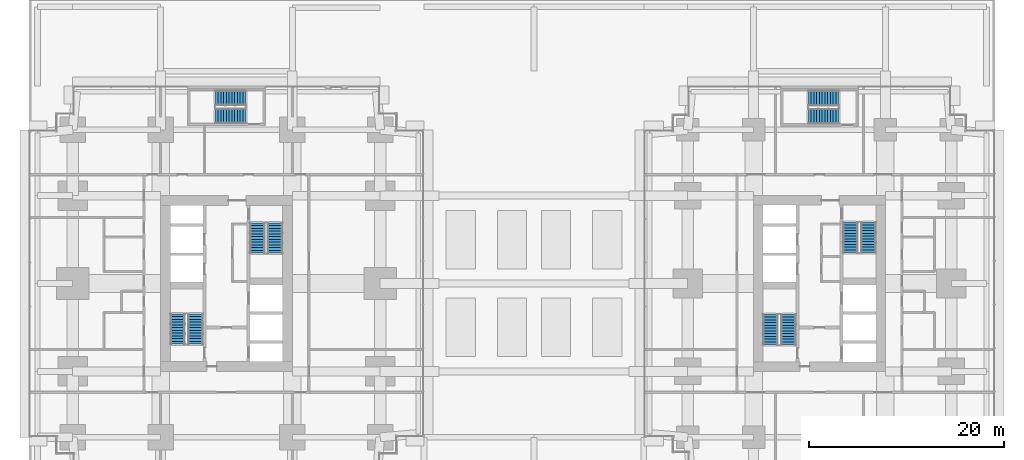
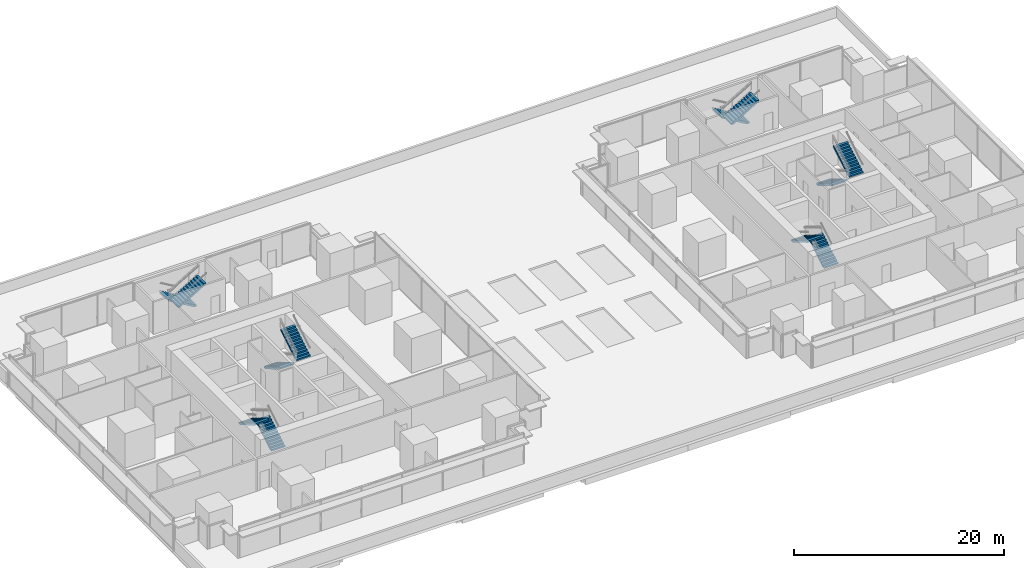
# One storey, part 31 of 34: 12 stair flights, 6 elements without a shape of their own.
"""IFC4 building model written with IfcOpenShell, lengths in metres."""

import ifcopenshell
import ifcopenshell.guid

model = None  # the IFC model being written
_history = None  # IfcOwnerHistory: only IFC2X3 demands one
_inside = {}  # id of a spatial element -> (the spatial element, [elements in it])
_under = {}  # id of a project, library or spatial element -> (it, [spatial elements below it])
_declared = {}  # id of a project -> (the project, [libraries it declares])
_typed = {}  # id of a type object -> (the type object, [elements of that type])
_made_of = {}  # id of a material, layer set ... -> (it, [elements and type objects made of it])


def new_model(schema):
    """Start an empty IFC model of exactly this schema.

    Asked for "IFC4X3", IfcOpenShell would pick the latest addendum, in which some entities
    have other attributes; the version numbers below select the first issue.
    IFC2X3 requires an IfcOwnerHistory on every rooted entity: one is made here for all.
    """
    global model, _history
    if schema == "IFC4X3":
        model = ifcopenshell.file(schema_version=(4, 3, 0, 0))
    else:
        model = ifcopenshell.file(schema=schema)
    _inside.clear()
    _under.clear()
    _declared.clear()
    _typed.clear()
    _made_of.clear()
    _history = None
    if model.schema == "IFC2X3":
        org = make("IfcOrganization", Name="unknown")
        user = make(
            "IfcPersonAndOrganization",
            ThePerson=make("IfcPerson", FamilyName="unknown"),
            TheOrganization=org,
        )
        app = make(
            "IfcApplication",
            ApplicationDeveloper=org,
            Version="unknown",
            ApplicationFullName="unknown",
            ApplicationIdentifier="unknown",
        )
        _history = make(
            "IfcOwnerHistory",
            OwningUser=user,
            OwningApplication=app,
            ChangeAction="ADDED",
            CreationDate=0,
        )
    return model


def make(cls, **values):
    """One entity of the class cls with the attributes given. An attribute that is None is left unset."""
    return model.create_entity(
        cls, **{name: value for name, value in values.items() if value is not None}
    )


def rooted(cls, **values):
    """An entity with a GlobalId (a new one), such as an element, a storey or a relation."""
    return make(cls, GlobalId=ifcopenshell.guid.new(), OwnerHistory=_history, **values)


def si_unit(unit_type, name, prefix=None):
    """IfcSIUnit, for example si_unit("LENGTHUNIT", "METRE", prefix="MILLI")."""
    return make("IfcSIUnit", UnitType=unit_type, Prefix=prefix, Name=name)


def assignment(units):
    """IfcUnitAssignment: the units of a project."""
    return None if units is None else make("IfcUnitAssignment", Units=units)


def point(xyz):
    """IfcCartesianPoint."""
    return None if xyz is None else make("IfcCartesianPoint", Coordinates=xyz)


def direction(xyz):
    """IfcDirection."""
    return None if xyz is None else make("IfcDirection", DirectionRatios=xyz)


def frame(location, z_axis=None, x_axis=None):
    """IfcAxis2Placement3D, a coordinate frame: its origin and axes. An axis left out is left unset."""
    return make(
        "IfcAxis2Placement3D",
        Location=point(location),
        Axis=direction(z_axis),
        RefDirection=direction(x_axis),
    )


def origin():
    """The frame at (0, 0, 0) with its axes left unset."""
    return frame((0.0, 0.0, 0.0))


def place(relative_to, where):
    """IfcLocalPlacement: puts the frame where relative to a parent placement (None: the world)."""
    return make(
        "IfcLocalPlacement", PlacementRelTo=relative_to, RelativePlacement=where
    )


def context(
    kind, dimensions, precision=None, world=None, true_north=None, identifier=None
):
    """IfcGeometricRepresentationContext, for example the 3D "Model" context."""
    return make(
        "IfcGeometricRepresentationContext",
        ContextIdentifier=identifier,
        ContextType=kind,
        CoordinateSpaceDimension=dimensions,
        Precision=precision,
        WorldCoordinateSystem=world,
        TrueNorth=true_north,
    )


def subcontext(parent, identifier, kind, view, scale=None):
    """IfcGeometricRepresentationSubContext, for example "Body" below "Model"."""
    return make(
        "IfcGeometricRepresentationSubContext",
        ContextIdentifier=identifier,
        ContextType=kind,
        ParentContext=parent,
        TargetScale=scale,
        TargetView=view,
    )


def project(units=None, contexts=None):
    """IfcProject with its units and contexts."""
    return rooted(
        "IfcProject",
        Name="project",
        RepresentationContexts=contexts,
        UnitsInContext=assignment(units),
    )


def spatial(cls, under=None, at=None, **own):
    """A site, building, storey or space (cls), placed at a placement, below another one or the project."""
    s = rooted(cls, ObjectPlacement=at, **own)
    if under is not None:
        _under.setdefault(under.id(), (under, []))[1].append(s)
    return s


def polyline(points):
    """IfcPolyline through the points."""
    return make("IfcPolyline", Points=[point(p) for p in points])


def outline(outer, holes=None, kind="AREA"):
    """IfcArbitraryClosedProfileDef: a profile drawn as a closed curve; with holes, ...WithVoids."""
    if holes is None:
        return make("IfcArbitraryClosedProfileDef", ProfileType=kind, OuterCurve=outer)
    return make(
        "IfcArbitraryProfileDefWithVoids",
        ProfileType=kind,
        OuterCurve=outer,
        InnerCurves=holes,
    )


def extrude(swept, where, along, depth):
    """IfcExtrudedAreaSolid: the profile swept, set in the frame where, extruded along a direction by depth."""
    return make(
        "IfcExtrudedAreaSolid",
        SweptArea=swept,
        Position=where,
        ExtrudedDirection=direction(along),
        Depth=depth,
    )


def shape(context_of_items, identifier, shape_type, items):
    """IfcShapeRepresentation: the items that make up one representation, for example the "Body"."""
    return make(
        "IfcShapeRepresentation",
        ContextOfItems=context_of_items,
        RepresentationIdentifier=identifier,
        RepresentationType=shape_type,
        Items=items,
    )


def material(Name=None, Category=None):
    """IfcMaterial."""
    return make("IfcMaterial", Name=Name, Category=Category)


def made_of(thing, what):
    """Note that an element or type object is made of a material, layer set ...; save() writes the relation."""
    if what is not None:
        _made_of.setdefault(what.id(), (what, []))[1].append(thing)
    return thing


def type_object(cls, material=None, **own):
    """A type object (cls), such as IfcWallType, which elements share."""
    return made_of(rooted(cls, **own), material)


def element(
    cls,
    number,
    at=None,
    inside=None,
    cuts=None,
    type_object=None,
    material=None,
    context=None,
    identifier="Body",
    shape_type=None,
    held_by="IfcProductDefinitionShape",
    body=None,
    shapes=None,
    **own,
):
    """One element of the class cls, such as IfcWall. Its Tag is "e" and its number.

    at: its placement. inside: the storey or other place that contains it. cuts: it is an
    opening in that element (IfcRelVoidsElement). A single representation is given by context,
    identifier, shape_type and body (its items); several are given by shapes. held_by: the class
    of the entity that holds the representations. save() writes the other relations.
    """
    e = rooted(cls, Tag="e%d" % number, ObjectPlacement=at, **own)
    if body is not None:
        shapes = [shape(context, identifier, shape_type, body)]
    if shapes is not None:
        e.Representation = make(held_by, Representations=shapes)
    if inside is not None:
        _inside.setdefault(inside.id(), (inside, []))[1].append(e)
    if cuts is not None:
        rooted(
            "IfcRelVoidsElement", RelatingBuildingElement=cuts, RelatedOpeningElement=e
        )
    if type_object is not None:
        _typed.setdefault(type_object.id(), (type_object, []))[1].append(e)
    return made_of(e, material)


def aggregate(whole, parts):
    """IfcRelAggregates: a whole, such as a stair, and the parts it consists of."""
    return rooted("IfcRelAggregates", RelatingObject=whole, RelatedObjects=parts)


def save(model, path):
    """Write the relations noted so far, then the file.

    IfcRelAggregates (storeys below a building ...), IfcRelContainedInSpatialStructure (elements
    in a storey), IfcRelDefinesByType, IfcRelAssociatesMaterial and IfcRelDeclares: one each for
    every whole, place, type object, material and project.
    """
    for whole, parts in _under.values():
        aggregate(whole, parts)
    for where, things in _inside.values():
        rooted(
            "IfcRelContainedInSpatialStructure",
            RelatedElements=things,
            RelatingStructure=where,
        )
    for kind, things in _typed.values():
        rooted("IfcRelDefinesByType", RelatedObjects=things, RelatingType=kind)
    for what, things in _made_of.values():
        rooted("IfcRelAssociatesMaterial", RelatedObjects=things, RelatingMaterial=what)
    for by, libraries in _declared.values():
        rooted("IfcRelDeclares", RelatingContext=by, RelatedDefinitions=libraries)
    model.write(path)


model = new_model("IFC4")

# Units and contexts
model_context = context("Model", 3, precision=1e-05, world=origin(), true_north=direction((0.0, 1.0)))
body_context = subcontext(model_context, "Body", "Model", "MODEL_VIEW")
ifc_project = project(units=[si_unit("LENGTHUNIT", "METRE"), si_unit("AREAUNIT", "SQUARE_METRE"), si_unit("VOLUMEUNIT", "CUBIC_METRE"), si_unit("PLANEANGLEUNIT", "RADIAN"), si_unit("MASSUNIT", "GRAM", prefix="KILO")], contexts=[model_context])

# Site, building, storey
site_placement = place(None, origin())
site = spatial("IfcSite", under=ifc_project, at=site_placement, CompositionType="ELEMENT")
building_placement = place(site_placement, origin())
building = spatial("IfcBuilding", under=site, at=building_placement, Name="Namib Vertical Campus", CompositionType="ELEMENT")
storey_placement = place(building_placement, frame((0.0, 0.0, 21.0)))
storey = spatial("IfcBuildingStorey", under=building, at=storey_placement, Name="L04", CompositionType="ELEMENT", Elevation=21.0)

# Stair, stair flights
ifc_material_1 = material(Name="Concrete C40/50 precast", Category="concrete")
stair_type_1 = type_object("IfcStairType", Name="Exit stair 4000 rise 24 risers 3350 wide", PredefinedType="HALF_TURN_STAIR", material=ifc_material_1)
stair_1_placement = place(storey_placement, origin())
stair_1 = element("IfcStair", 1, at=stair_1_placement, inside=storey, type_object=stair_type_1, Name="Exit stair A-S1 L04", PredefinedType="HALF_TURN_STAIR")
ifc_material_2 = material(Name="Concrete C40/50 precast", Category="concrete")
stair_flight_type_1 = type_object("IfcStairFlightType", Name="Stair flight 12 risers 167 1525 wide", PredefinedType="STRAIGHT", material=ifc_material_2)
stair_flight_1_placement = place(storey_placement, frame((17.08740234375, 14.050048828125, 0.0), z_axis=(0.0, 0.0, 1.0), x_axis=(0.0, 1.0, 0.0)))
stair_flight_1 = element("IfcStairFlight", 2, at=stair_flight_1_placement, type_object=stair_flight_type_1, Name="A-S1 flight 1", NumberOfRisers=12, NumberOfTreads=11, PredefinedType="STRAIGHT", RiserHeight=0.166666667, TreadLength=0.28, context=body_context, shape_type="SweptSolid", body=[
    extrude(outline(polyline([(0.0, 0.0), (0.0, 0.166748046875), (0.280029296875, 0.166748046875), (0.280029296875, 0.333251953125), (0.56005859375, 0.333251953125), (0.56005859375, 0.5), (0.840087890625, 0.5), (0.840087890625, 0.666748046875), (1.1201171875, 0.666748046875), (1.1201171875, 0.833251953125), (1.39990234375, 0.833251953125), (1.39990234375, 1.0), (1.679931640625, 1.0), (1.679931640625, 1.166748046875), (1.9599609375, 1.166748046875), (1.9599609375, 1.333251953125), (2.239990234375, 1.333251953125), (2.239990234375, 1.5), (2.52001953125, 1.5), (2.52001953125, 1.666748046875), (2.800048828125, 1.666748046875), (2.800048828125, 1.833251953125), (3.080078125, 1.833251953125), (3.080078125, 2.0), (3.080078125, 1.658935546875), (0.29296875, 0.0), (0.0, 0.0)])), frame((0.0, 0.762451171875, 0.0), z_axis=(0.0, -1.0, 0.0), x_axis=(1.0, 0.0, 0.0)), (0.0, 0.0, 1.0), 1.52490234375),
])
stair_flight_2_placement = place(storey_placement, frame((15.262451171875, 17.1298828125, 2.0), z_axis=(0.0, 0.0, 1.0), x_axis=(0.0, -1.0, 0.0)))
stair_flight_2 = element("IfcStairFlight", 3, at=stair_flight_2_placement, type_object=stair_flight_type_1, Name="A-S1 flight 2", NumberOfRisers=12, NumberOfTreads=11, PredefinedType="STRAIGHT", RiserHeight=0.166666667, TreadLength=0.28, context=body_context, shape_type="SweptSolid", body=[
    extrude(outline(polyline([(0.0, 0.0), (0.0, 0.166748046875), (0.280029296875, 0.166748046875), (0.280029296875, 0.333251953125), (0.56005859375, 0.333251953125), (0.56005859375, 0.5), (0.840087890625, 0.5), (0.840087890625, 0.666748046875), (1.1201171875, 0.666748046875), (1.1201171875, 0.833251953125), (1.39990234375, 0.833251953125), (1.39990234375, 1.0), (1.679931640625, 1.0), (1.679931640625, 1.166748046875), (1.9599609375, 1.166748046875), (1.9599609375, 1.333251953125), (2.239990234375, 1.333251953125), (2.239990234375, 1.5), (2.52001953125, 1.5), (2.52001953125, 1.666748046875), (2.800048828125, 1.666748046875), (2.800048828125, 1.833251953125), (3.080078125, 1.833251953125), (3.080078125, 2.0), (3.080078125, 1.658935546875), (0.29296875, 0.0), (0.0, 0.0)])), frame((0.0, 0.762451171875, 0.0), z_axis=(0.0, -1.0, 0.0), x_axis=(1.0, 0.0, 0.0)), (0.0, 0.0, 1.0), 1.52490234375),
])
aggregate(stair_1, [stair_flight_1, stair_flight_2])

stair_2_placement = place(storey_placement, origin())
stair_2 = element("IfcStair", 4, at=stair_2_placement, inside=storey, type_object=stair_type_1, Name="Exit stair A-S2 L04", PredefinedType="HALF_TURN_STAIR")
stair_flight_3_placement = place(storey_placement, frame((23.41259765625, 26.449951171875, 0.0), z_axis=(0.0, 0.0, 1.0), x_axis=(0.0, -1.0, 0.0)))
stair_flight_3 = element("IfcStairFlight", 5, at=stair_flight_3_placement, type_object=stair_flight_type_1, Name="A-S2 flight 1", NumberOfRisers=12, NumberOfTreads=11, PredefinedType="STRAIGHT", RiserHeight=0.166666667, TreadLength=0.28, context=body_context, shape_type="SweptSolid", body=[
    extrude(outline(polyline([(0.0, 0.0), (0.0, 0.166748046875), (0.280029296875, 0.166748046875), (0.280029296875, 0.333251953125), (0.56005859375, 0.333251953125), (0.56005859375, 0.5), (0.840087890625, 0.5), (0.840087890625, 0.666748046875), (1.1201171875, 0.666748046875), (1.1201171875, 0.833251953125), (1.39990234375, 0.833251953125), (1.39990234375, 1.0), (1.679931640625, 1.0), (1.679931640625, 1.166748046875), (1.9599609375, 1.166748046875), (1.9599609375, 1.333251953125), (2.239990234375, 1.333251953125), (2.239990234375, 1.5), (2.52001953125, 1.5), (2.52001953125, 1.666748046875), (2.800048828125, 1.666748046875), (2.800048828125, 1.833251953125), (3.080078125, 1.833251953125), (3.080078125, 2.0), (3.080078125, 1.658935546875), (0.29296875, 0.0), (0.0, 0.0)])), frame((0.0, 0.762451171875, 0.0), z_axis=(0.0, -1.0, 0.0), x_axis=(1.0, 0.0, 0.0)), (0.0, 0.0, 1.0), 1.52490234375),
])
stair_flight_4_placement = place(storey_placement, frame((25.237548828125, 23.3701171875, 2.0), z_axis=(0.0, 0.0, 1.0), x_axis=(0.0, 1.0, 0.0)))
stair_flight_4 = element("IfcStairFlight", 6, at=stair_flight_4_placement, type_object=stair_flight_type_1, Name="A-S2 flight 2", NumberOfRisers=12, NumberOfTreads=11, PredefinedType="STRAIGHT", RiserHeight=0.166666667, TreadLength=0.28, context=body_context, shape_type="SweptSolid", body=[
    extrude(outline(polyline([(0.0, 0.0), (0.0, 0.166748046875), (0.280029296875, 0.166748046875), (0.280029296875, 0.333251953125), (0.56005859375, 0.333251953125), (0.56005859375, 0.5), (0.840087890625, 0.5), (0.840087890625, 0.666748046875), (1.1201171875, 0.666748046875), (1.1201171875, 0.833251953125), (1.39990234375, 0.833251953125), (1.39990234375, 1.0), (1.679931640625, 1.0), (1.679931640625, 1.166748046875), (1.9599609375, 1.166748046875), (1.9599609375, 1.333251953125), (2.239990234375, 1.333251953125), (2.239990234375, 1.5), (2.52001953125, 1.5), (2.52001953125, 1.666748046875), (2.800048828125, 1.666748046875), (2.800048828125, 1.833251953125), (3.080078125, 1.833251953125), (3.080078125, 2.0), (3.080078125, 1.658935546875), (0.29296875, 0.0), (0.0, 0.0)])), frame((0.0, 0.762451171875, 0.0), z_axis=(0.0, -1.0, 0.0), x_axis=(1.0, 0.0, 0.0)), (0.0, 0.0, 1.0), 1.52490234375),
])
aggregate(stair_2, [stair_flight_3, stair_flight_4])

stair_3_placement = place(storey_placement, origin())
stair_3 = element("IfcStair", 7, at=stair_3_placement, inside=storey, type_object=stair_type_1, Name="Exit stair A-S3 L04", PredefinedType="HALF_TURN_STAIR")
stair_flight_5_placement = place(storey_placement, frame((22.199951171875, 39.237548828125, 0.0), z_axis=(0.0, 0.0, 1.0), x_axis=(-1.0, 0.0, 0.0)))
stair_flight_5 = element("IfcStairFlight", 8, at=stair_flight_5_placement, type_object=stair_flight_type_1, Name="A-S3 flight 1", NumberOfRisers=12, NumberOfTreads=11, PredefinedType="STRAIGHT", RiserHeight=0.166666667, TreadLength=0.28, context=body_context, shape_type="SweptSolid", body=[
    extrude(outline(polyline([(0.0, 0.0), (0.0, 0.166748046875), (0.280029296875, 0.166748046875), (0.280029296875, 0.333251953125), (0.56005859375, 0.333251953125), (0.56005859375, 0.5), (0.840087890625, 0.5), (0.840087890625, 0.666748046875), (1.1201171875, 0.666748046875), (1.1201171875, 0.833251953125), (1.39990234375, 0.833251953125), (1.39990234375, 1.0), (1.679931640625, 1.0), (1.679931640625, 1.166748046875), (1.9599609375, 1.166748046875), (1.9599609375, 1.333251953125), (2.239990234375, 1.333251953125), (2.239990234375, 1.5), (2.52001953125, 1.5), (2.52001953125, 1.666748046875), (2.800048828125, 1.666748046875), (2.800048828125, 1.833251953125), (3.080078125, 1.833251953125), (3.080078125, 2.0), (3.080078125, 1.658935546875), (0.29296875, 0.0), (0.0, 0.0)])), frame((0.0, 0.762451171875, 0.0), z_axis=(0.0, -1.0, 0.0), x_axis=(1.0, 0.0, 0.0)), (0.0, 0.0, 1.0), 1.52490234375),
])
stair_flight_6_placement = place(storey_placement, frame((19.1201171875, 37.41259765625, 2.0), z_axis=(0.0, 0.0, 1.0), x_axis=(1.0, 0.0, 0.0)))
stair_flight_6 = element("IfcStairFlight", 9, at=stair_flight_6_placement, type_object=stair_flight_type_1, Name="A-S3 flight 2", NumberOfRisers=12, NumberOfTreads=11, PredefinedType="STRAIGHT", RiserHeight=0.166666667, TreadLength=0.28, context=body_context, shape_type="SweptSolid", body=[
    extrude(outline(polyline([(0.0, 0.0), (0.0, 0.166748046875), (0.280029296875, 0.166748046875), (0.280029296875, 0.333251953125), (0.56005859375, 0.333251953125), (0.56005859375, 0.5), (0.840087890625, 0.5), (0.840087890625, 0.666748046875), (1.1201171875, 0.666748046875), (1.1201171875, 0.833251953125), (1.39990234375, 0.833251953125), (1.39990234375, 1.0), (1.679931640625, 1.0), (1.679931640625, 1.166748046875), (1.9599609375, 1.166748046875), (1.9599609375, 1.333251953125), (2.239990234375, 1.333251953125), (2.239990234375, 1.5), (2.52001953125, 1.5), (2.52001953125, 1.666748046875), (2.800048828125, 1.666748046875), (2.800048828125, 1.833251953125), (3.080078125, 1.833251953125), (3.080078125, 2.0), (3.080078125, 1.658935546875), (0.29296875, 0.0), (0.0, 0.0)])), frame((0.0, 0.762451171875, 0.0), z_axis=(0.0, -1.0, 0.0), x_axis=(1.0, 0.0, 0.0)), (0.0, 0.0, 1.0), 1.52490234375),
])
aggregate(stair_3, [stair_flight_5, stair_flight_6])

ifc_material_3 = material(Name="Concrete C40/50 precast", Category="concrete")
stair_type_2 = type_object("IfcStairType", Name="Exit stair 4000 rise 24 risers 3400 wide", PredefinedType="HALF_TURN_STAIR", material=ifc_material_3)
stair_4_placement = place(storey_placement, origin())
stair_4 = element("IfcStair", 10, at=stair_4_placement, inside=storey, type_object=stair_type_2, Name="Exit stair B-S1 L04", PredefinedType="HALF_TURN_STAIR")
ifc_material_4 = material(Name="Concrete C40/50 precast", Category="concrete")
stair_flight_type_2 = type_object("IfcStairFlightType", Name="Stair flight 12 risers 167 1550 wide", PredefinedType="STRAIGHT", material=ifc_material_4)
stair_flight_7_placement = place(storey_placement, frame((77.824951171875, 14.0, 0.0), z_axis=(0.0, 0.0, 1.0), x_axis=(0.0, 1.0, 0.0)))
stair_flight_7 = element("IfcStairFlight", 11, at=stair_flight_7_placement, type_object=stair_flight_type_2, Name="B-S1 flight 1", NumberOfRisers=12, NumberOfTreads=11, PredefinedType="STRAIGHT", RiserHeight=0.166666667, TreadLength=0.28, context=body_context, shape_type="SweptSolid", body=[
    extrude(outline(polyline([(0.0, 0.0), (0.0, 0.166748046875), (0.280029296875, 0.166748046875), (0.280029296875, 0.333251953125), (0.56005859375, 0.333251953125), (0.56005859375, 0.5), (0.840087890625, 0.5), (0.840087890625, 0.666748046875), (1.1201171875, 0.666748046875), (1.1201171875, 0.833251953125), (1.39990234375, 0.833251953125), (1.39990234375, 1.0), (1.679931640625, 1.0), (1.679931640625, 1.166748046875), (1.9599609375, 1.166748046875), (1.9599609375, 1.333251953125), (2.239990234375, 1.333251953125), (2.239990234375, 1.5), (2.52001953125, 1.5), (2.52001953125, 1.666748046875), (2.800048828125, 1.666748046875), (2.800048828125, 1.833251953125), (3.080078125, 1.833251953125), (3.080078125, 2.0), (3.080078125, 1.658935546875), (0.29296875, 0.0), (0.0, 0.0)])), frame((0.0, 0.77490234375, 0.0), z_axis=(0.0, -1.0, 0.0), x_axis=(1.0, 0.0, 0.0)), (0.0, 0.0, 1.0), 1.550048828125),
])
stair_flight_8_placement = place(storey_placement, frame((75.97509765625, 17.080078125, 2.0), z_axis=(0.0, 0.0, 1.0), x_axis=(0.0, -1.0, 0.0)))
stair_flight_8 = element("IfcStairFlight", 12, at=stair_flight_8_placement, type_object=stair_flight_type_2, Name="B-S1 flight 2", NumberOfRisers=12, NumberOfTreads=11, PredefinedType="STRAIGHT", RiserHeight=0.166666667, TreadLength=0.28, context=body_context, shape_type="SweptSolid", body=[
    extrude(outline(polyline([(0.0, 0.0), (0.0, 0.166748046875), (0.280029296875, 0.166748046875), (0.280029296875, 0.333251953125), (0.56005859375, 0.333251953125), (0.56005859375, 0.5), (0.840087890625, 0.5), (0.840087890625, 0.666748046875), (1.1201171875, 0.666748046875), (1.1201171875, 0.833251953125), (1.39990234375, 0.833251953125), (1.39990234375, 1.0), (1.679931640625, 1.0), (1.679931640625, 1.166748046875), (1.9599609375, 1.166748046875), (1.9599609375, 1.333251953125), (2.239990234375, 1.333251953125), (2.239990234375, 1.5), (2.52001953125, 1.5), (2.52001953125, 1.666748046875), (2.800048828125, 1.666748046875), (2.800048828125, 1.833251953125), (3.080078125, 1.833251953125), (3.080078125, 2.0), (3.080078125, 1.658935546875), (0.29296875, 0.0), (0.0, 0.0)])), frame((0.0, 0.77490234375, 0.0), z_axis=(0.0, -1.0, 0.0), x_axis=(1.0, 0.0, 0.0)), (0.0, 0.0, 1.0), 1.550048828125),
])
aggregate(stair_4, [stair_flight_7, stair_flight_8])

stair_5_placement = place(storey_placement, origin())
stair_5 = element("IfcStair", 13, at=stair_5_placement, inside=storey, type_object=stair_type_2, Name="Exit stair B-S2 L04", PredefinedType="HALF_TURN_STAIR")
stair_flight_9_placement = place(storey_placement, frame((84.175048828125, 26.5, 0.0), z_axis=(0.0, 0.0, 1.0), x_axis=(0.0, -1.0, 0.0)))
stair_flight_9 = element("IfcStairFlight", 14, at=stair_flight_9_placement, type_object=stair_flight_type_2, Name="B-S2 flight 1", NumberOfRisers=12, NumberOfTreads=11, PredefinedType="STRAIGHT", RiserHeight=0.166666667, TreadLength=0.28, context=body_context, shape_type="SweptSolid", body=[
    extrude(outline(polyline([(0.0, 0.0), (0.0, 0.166748046875), (0.280029296875, 0.166748046875), (0.280029296875, 0.333251953125), (0.56005859375, 0.333251953125), (0.56005859375, 0.5), (0.840087890625, 0.5), (0.840087890625, 0.666748046875), (1.1201171875, 0.666748046875), (1.1201171875, 0.833251953125), (1.39990234375, 0.833251953125), (1.39990234375, 1.0), (1.679931640625, 1.0), (1.679931640625, 1.166748046875), (1.9599609375, 1.166748046875), (1.9599609375, 1.333251953125), (2.239990234375, 1.333251953125), (2.239990234375, 1.5), (2.52001953125, 1.5), (2.52001953125, 1.666748046875), (2.800048828125, 1.666748046875), (2.800048828125, 1.833251953125), (3.080078125, 1.833251953125), (3.080078125, 2.0), (3.080078125, 1.658935546875), (0.29296875, 0.0), (0.0, 0.0)])), frame((0.0, 0.77490234375, 0.0), z_axis=(0.0, -1.0, 0.0), x_axis=(1.0, 0.0, 0.0)), (0.0, 0.0, 1.0), 1.550048828125),
])
stair_flight_10_placement = place(storey_placement, frame((86.02490234375, 23.419921875, 2.0), z_axis=(0.0, 0.0, 1.0), x_axis=(0.0, 1.0, 0.0)))
stair_flight_10 = element("IfcStairFlight", 15, at=stair_flight_10_placement, type_object=stair_flight_type_2, Name="B-S2 flight 2", NumberOfRisers=12, NumberOfTreads=11, PredefinedType="STRAIGHT", RiserHeight=0.166666667, TreadLength=0.28, context=body_context, shape_type="SweptSolid", body=[
    extrude(outline(polyline([(0.0, 0.0), (0.0, 0.166748046875), (0.280029296875, 0.166748046875), (0.280029296875, 0.333251953125), (0.56005859375, 0.333251953125), (0.56005859375, 0.5), (0.840087890625, 0.5), (0.840087890625, 0.666748046875), (1.1201171875, 0.666748046875), (1.1201171875, 0.833251953125), (1.39990234375, 0.833251953125), (1.39990234375, 1.0), (1.679931640625, 1.0), (1.679931640625, 1.166748046875), (1.9599609375, 1.166748046875), (1.9599609375, 1.333251953125), (2.239990234375, 1.333251953125), (2.239990234375, 1.5), (2.52001953125, 1.5), (2.52001953125, 1.666748046875), (2.800048828125, 1.666748046875), (2.800048828125, 1.833251953125), (3.080078125, 1.833251953125), (3.080078125, 2.0), (3.080078125, 1.658935546875), (0.29296875, 0.0), (0.0, 0.0)])), frame((0.0, 0.77490234375, 0.0), z_axis=(0.0, -1.0, 0.0), x_axis=(1.0, 0.0, 0.0)), (0.0, 0.0, 1.0), 1.550048828125),
])
aggregate(stair_5, [stair_flight_9, stair_flight_10])

stair_6_placement = place(storey_placement, origin())
stair_6 = element("IfcStair", 16, at=stair_6_placement, inside=storey, type_object=stair_type_2, Name="Exit stair B-S3 L04", PredefinedType="HALF_TURN_STAIR")
stair_flight_11_placement = place(storey_placement, frame((82.949951171875, 39.22509765625, 0.0), z_axis=(0.0, 0.0, 1.0), x_axis=(-1.0, 0.0, 0.0)))
stair_flight_11 = element("IfcStairFlight", 17, at=stair_flight_11_placement, type_object=stair_flight_type_2, Name="B-S3 flight 1", NumberOfRisers=12, NumberOfTreads=11, PredefinedType="STRAIGHT", RiserHeight=0.166666667, TreadLength=0.28, context=body_context, shape_type="SweptSolid", body=[
    extrude(outline(polyline([(0.0, 0.0), (0.0, 0.166748046875), (0.280029296875, 0.166748046875), (0.280029296875, 0.333251953125), (0.56005859375, 0.333251953125), (0.56005859375, 0.5), (0.840087890625, 0.5), (0.840087890625, 0.666748046875), (1.1201171875, 0.666748046875), (1.1201171875, 0.833251953125), (1.39990234375, 0.833251953125), (1.39990234375, 1.0), (1.679931640625, 1.0), (1.679931640625, 1.166748046875), (1.9599609375, 1.166748046875), (1.9599609375, 1.333251953125), (2.239990234375, 1.333251953125), (2.239990234375, 1.5), (2.52001953125, 1.5), (2.52001953125, 1.666748046875), (2.800048828125, 1.666748046875), (2.800048828125, 1.833251953125), (3.080078125, 1.833251953125), (3.080078125, 2.0), (3.080078125, 1.658935546875), (0.29296875, 0.0), (0.0, 0.0)])), frame((0.0, 0.77490234375, 0.0), z_axis=(0.0, -1.0, 0.0), x_axis=(1.0, 0.0, 0.0)), (0.0, 0.0, 1.0), 1.550048828125),
])
stair_flight_12_placement = place(storey_placement, frame((79.8701171875, 37.375, 2.0), z_axis=(0.0, 0.0, 1.0), x_axis=(1.0, 0.0, 0.0)))
stair_flight_12 = element("IfcStairFlight", 18, at=stair_flight_12_placement, type_object=stair_flight_type_2, Name="B-S3 flight 2", NumberOfRisers=12, NumberOfTreads=11, PredefinedType="STRAIGHT", RiserHeight=0.166666667, TreadLength=0.28, context=body_context, shape_type="SweptSolid", body=[
    extrude(outline(polyline([(0.0, 0.0), (0.0, 0.166748046875), (0.280029296875, 0.166748046875), (0.280029296875, 0.333251953125), (0.56005859375, 0.333251953125), (0.56005859375, 0.5), (0.840087890625, 0.5), (0.840087890625, 0.666748046875), (1.1201171875, 0.666748046875), (1.1201171875, 0.833251953125), (1.39990234375, 0.833251953125), (1.39990234375, 1.0), (1.679931640625, 1.0), (1.679931640625, 1.166748046875), (1.9599609375, 1.166748046875), (1.9599609375, 1.333251953125), (2.239990234375, 1.333251953125), (2.239990234375, 1.5), (2.52001953125, 1.5), (2.52001953125, 1.666748046875), (2.800048828125, 1.666748046875), (2.800048828125, 1.833251953125), (3.080078125, 1.833251953125), (3.080078125, 2.0), (3.080078125, 1.658935546875), (0.29296875, 0.0), (0.0, 0.0)])), frame((0.0, 0.77490234375, 0.0), z_axis=(0.0, -1.0, 0.0), x_axis=(1.0, 0.0, 0.0)), (0.0, 0.0, 1.0), 1.550048828125),
])
aggregate(stair_6, [stair_flight_11, stair_flight_12])

save(model, "model.ifc")
